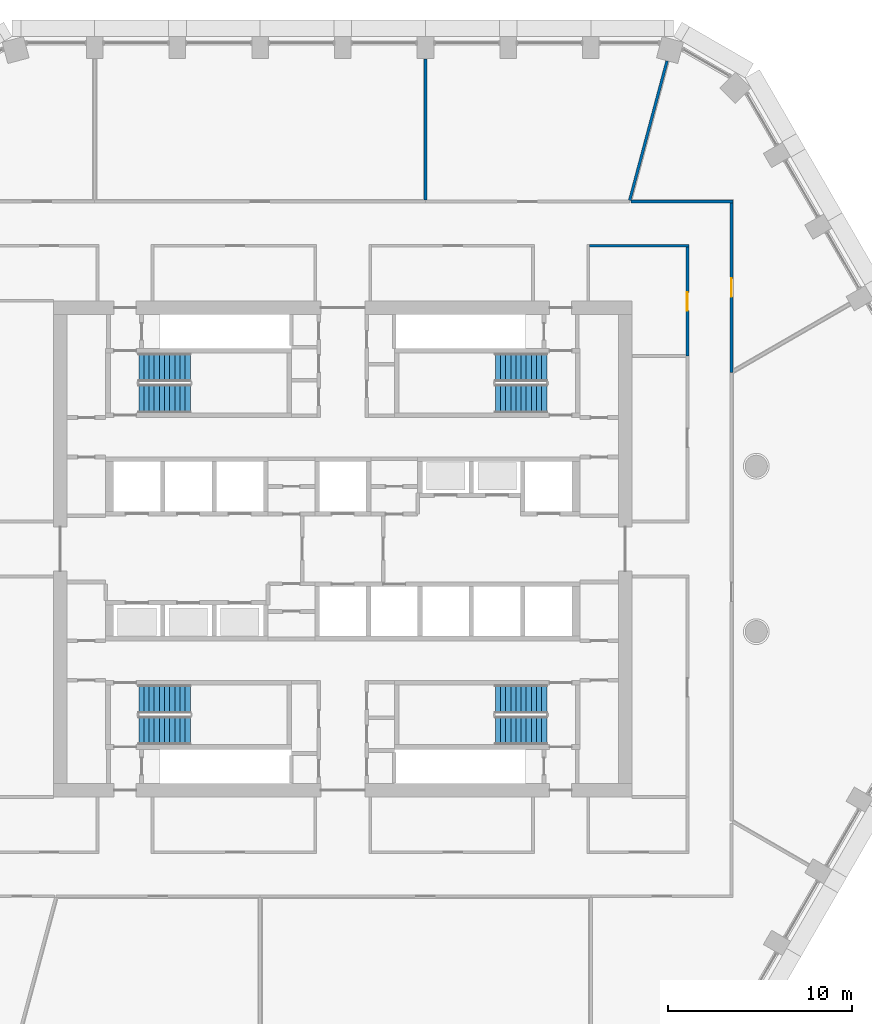
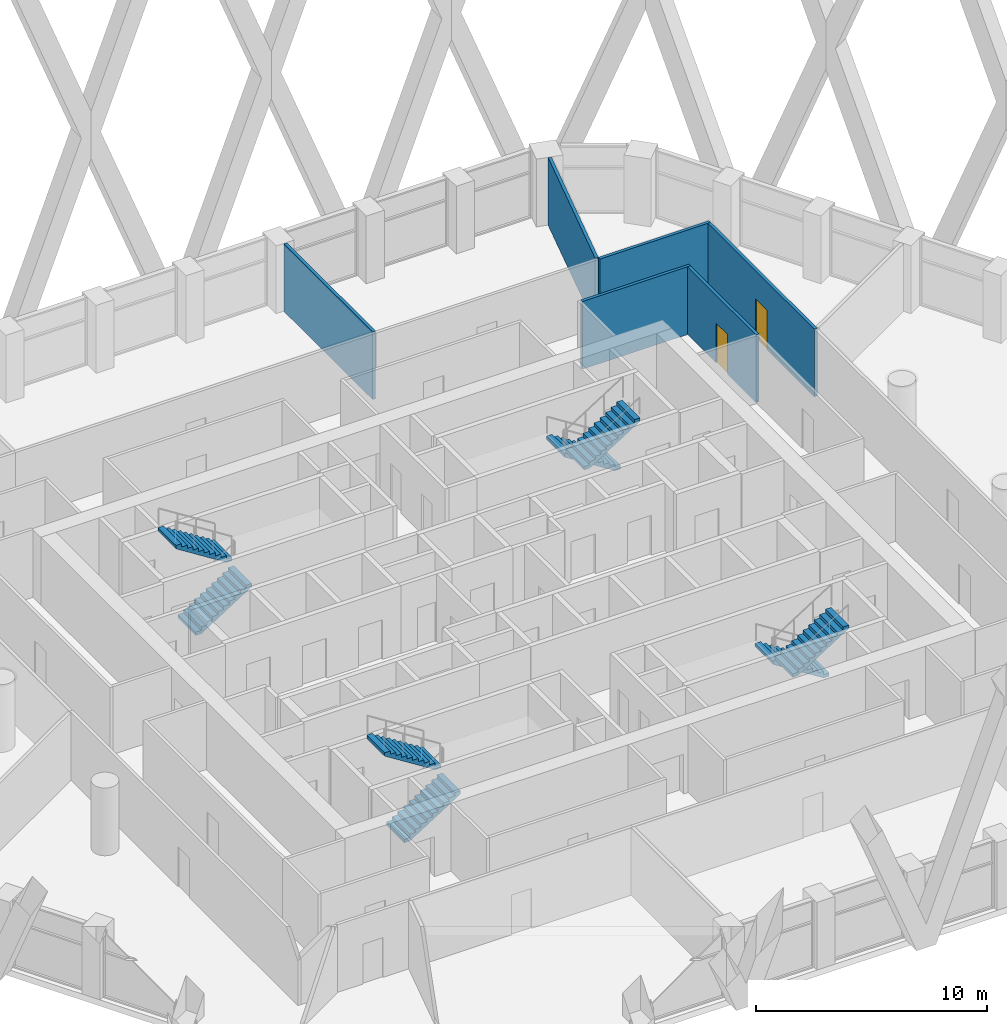
# One storey, part 14 of 24: 8 stair flights, 6 walls, 2 doors, 2 openings, 4 elements without a shape of their own.
"""IFC4 building model written with IfcOpenShell, lengths in metres."""

import ifcopenshell
import ifcopenshell.guid

model = None  # the IFC model being written
_history = None  # IfcOwnerHistory: only IFC2X3 demands one
_inside = {}  # id of a spatial element -> (the spatial element, [elements in it])
_under = {}  # id of a project, library or spatial element -> (it, [spatial elements below it])
_declared = {}  # id of a project -> (the project, [libraries it declares])
_typed = {}  # id of a type object -> (the type object, [elements of that type])
_made_of = {}  # id of a material, layer set ... -> (it, [elements and type objects made of it])


def new_model(schema):
    """Start an empty IFC model of exactly this schema.

    Asked for "IFC4X3", IfcOpenShell would pick the latest addendum, in which some entities
    have other attributes; the version numbers below select the first issue.
    IFC2X3 requires an IfcOwnerHistory on every rooted entity: one is made here for all.
    """
    global model, _history
    if schema == "IFC4X3":
        model = ifcopenshell.file(schema_version=(4, 3, 0, 0))
    else:
        model = ifcopenshell.file(schema=schema)
    _inside.clear()
    _under.clear()
    _declared.clear()
    _typed.clear()
    _made_of.clear()
    _history = None
    if model.schema == "IFC2X3":
        org = make("IfcOrganization", Name="unknown")
        user = make(
            "IfcPersonAndOrganization",
            ThePerson=make("IfcPerson", FamilyName="unknown"),
            TheOrganization=org,
        )
        app = make(
            "IfcApplication",
            ApplicationDeveloper=org,
            Version="unknown",
            ApplicationFullName="unknown",
            ApplicationIdentifier="unknown",
        )
        _history = make(
            "IfcOwnerHistory",
            OwningUser=user,
            OwningApplication=app,
            ChangeAction="ADDED",
            CreationDate=0,
        )
    return model


def make(cls, **values):
    """One entity of the class cls with the attributes given. An attribute that is None is left unset."""
    return model.create_entity(
        cls, **{name: value for name, value in values.items() if value is not None}
    )


def rooted(cls, **values):
    """An entity with a GlobalId (a new one), such as an element, a storey or a relation."""
    return make(cls, GlobalId=ifcopenshell.guid.new(), OwnerHistory=_history, **values)


def si_unit(unit_type, name, prefix=None):
    """IfcSIUnit, for example si_unit("LENGTHUNIT", "METRE", prefix="MILLI")."""
    return make("IfcSIUnit", UnitType=unit_type, Prefix=prefix, Name=name)


def assignment(units):
    """IfcUnitAssignment: the units of a project."""
    return None if units is None else make("IfcUnitAssignment", Units=units)


def point(xyz):
    """IfcCartesianPoint."""
    return None if xyz is None else make("IfcCartesianPoint", Coordinates=xyz)


def direction(xyz):
    """IfcDirection."""
    return None if xyz is None else make("IfcDirection", DirectionRatios=xyz)


def frame(location, z_axis=None, x_axis=None):
    """IfcAxis2Placement3D, a coordinate frame: its origin and axes. An axis left out is left unset."""
    return make(
        "IfcAxis2Placement3D",
        Location=point(location),
        Axis=direction(z_axis),
        RefDirection=direction(x_axis),
    )


def frame_2d(location, x_axis=None):
    """IfcAxis2Placement2D, a coordinate frame in the plane: its origin and x axis."""
    return make(
        "IfcAxis2Placement2D", Location=point(location), RefDirection=direction(x_axis)
    )


def origin():
    """The frame at (0, 0, 0) with its axes left unset."""
    return frame((0.0, 0.0, 0.0))


def place(relative_to, where):
    """IfcLocalPlacement: puts the frame where relative to a parent placement (None: the world)."""
    return make(
        "IfcLocalPlacement", PlacementRelTo=relative_to, RelativePlacement=where
    )


def context(
    kind, dimensions, precision=None, world=None, true_north=None, identifier=None
):
    """IfcGeometricRepresentationContext, for example the 3D "Model" context."""
    return make(
        "IfcGeometricRepresentationContext",
        ContextIdentifier=identifier,
        ContextType=kind,
        CoordinateSpaceDimension=dimensions,
        Precision=precision,
        WorldCoordinateSystem=world,
        TrueNorth=true_north,
    )


def subcontext(parent, identifier, kind, view, scale=None):
    """IfcGeometricRepresentationSubContext, for example "Body" below "Model"."""
    return make(
        "IfcGeometricRepresentationSubContext",
        ContextIdentifier=identifier,
        ContextType=kind,
        ParentContext=parent,
        TargetScale=scale,
        TargetView=view,
    )


def project(units=None, contexts=None):
    """IfcProject with its units and contexts."""
    return rooted(
        "IfcProject",
        Name="project",
        RepresentationContexts=contexts,
        UnitsInContext=assignment(units),
    )


def spatial(cls, under=None, at=None, **own):
    """A site, building, storey or space (cls), placed at a placement, below another one or the project."""
    s = rooted(cls, ObjectPlacement=at, **own)
    if under is not None:
        _under.setdefault(under.id(), (under, []))[1].append(s)
    return s


def polyline(points):
    """IfcPolyline through the points."""
    return make("IfcPolyline", Points=[point(p) for p in points])


def profile(cls, at=None, kind="AREA", **sizes):
    """A parametric profile (cls). Its sizes go by their IFC names, for example OverallWidth=200.0."""
    return make(cls, ProfileType=kind, Position=at, **sizes)


def rectangle(**sizes):
    """IfcRectangleProfileDef."""
    return profile("IfcRectangleProfileDef", **sizes)


def outline(outer, holes=None, kind="AREA"):
    """IfcArbitraryClosedProfileDef: a profile drawn as a closed curve; with holes, ...WithVoids."""
    if holes is None:
        return make("IfcArbitraryClosedProfileDef", ProfileType=kind, OuterCurve=outer)
    return make(
        "IfcArbitraryProfileDefWithVoids",
        ProfileType=kind,
        OuterCurve=outer,
        InnerCurves=holes,
    )


def extrude(swept, where, along, depth):
    """IfcExtrudedAreaSolid: the profile swept, set in the frame where, extruded along a direction by depth."""
    return make(
        "IfcExtrudedAreaSolid",
        SweptArea=swept,
        Position=where,
        ExtrudedDirection=direction(along),
        Depth=depth,
    )


def shape(context_of_items, identifier, shape_type, items):
    """IfcShapeRepresentation: the items that make up one representation, for example the "Body"."""
    return make(
        "IfcShapeRepresentation",
        ContextOfItems=context_of_items,
        RepresentationIdentifier=identifier,
        RepresentationType=shape_type,
        Items=items,
    )


def material(Name=None, Category=None):
    """IfcMaterial."""
    return make("IfcMaterial", Name=Name, Category=Category)


def layer(
    of_material, thickness, ventilated=None, Name=None, Category=None, Priority=None
):
    """IfcMaterialLayer: one layer of a wall or slab, of a material (None: an air gap)."""
    return make(
        "IfcMaterialLayer",
        Material=of_material,
        LayerThickness=thickness,
        IsVentilated=ventilated,
        Name=Name,
        Category=Category,
        Priority=Priority,
    )


def layer_set(layers, Name=None):
    """IfcMaterialLayerSet."""
    return make("IfcMaterialLayerSet", MaterialLayers=layers, LayerSetName=Name)


def made_of(thing, what):
    """Note that an element or type object is made of a material, layer set ...; save() writes the relation."""
    if what is not None:
        _made_of.setdefault(what.id(), (what, []))[1].append(thing)
    return thing


def type_object(cls, material=None, **own):
    """A type object (cls), such as IfcWallType, which elements share."""
    return made_of(rooted(cls, **own), material)


def element(
    cls,
    number,
    at=None,
    inside=None,
    cuts=None,
    type_object=None,
    material=None,
    context=None,
    identifier="Body",
    shape_type=None,
    held_by="IfcProductDefinitionShape",
    body=None,
    shapes=None,
    **own,
):
    """One element of the class cls, such as IfcWall. Its Tag is "e" and its number.

    at: its placement. inside: the storey or other place that contains it. cuts: it is an
    opening in that element (IfcRelVoidsElement). A single representation is given by context,
    identifier, shape_type and body (its items); several are given by shapes. held_by: the class
    of the entity that holds the representations. save() writes the other relations.
    """
    e = rooted(cls, Tag="e%d" % number, ObjectPlacement=at, **own)
    if body is not None:
        shapes = [shape(context, identifier, shape_type, body)]
    if shapes is not None:
        e.Representation = make(held_by, Representations=shapes)
    if inside is not None:
        _inside.setdefault(inside.id(), (inside, []))[1].append(e)
    if cuts is not None:
        rooted(
            "IfcRelVoidsElement", RelatingBuildingElement=cuts, RelatedOpeningElement=e
        )
    if type_object is not None:
        _typed.setdefault(type_object.id(), (type_object, []))[1].append(e)
    return made_of(e, material)


def fill(opening, filler):
    """IfcRelFillsElement: the door or window that sits in an opening."""
    return rooted(
        "IfcRelFillsElement",
        RelatingOpeningElement=opening,
        RelatedBuildingElement=filler,
    )


def aggregate(whole, parts):
    """IfcRelAggregates: a whole, such as a stair, and the parts it consists of."""
    return rooted("IfcRelAggregates", RelatingObject=whole, RelatedObjects=parts)


def save(model, path):
    """Write the relations noted so far, then the file.

    IfcRelAggregates (storeys below a building ...), IfcRelContainedInSpatialStructure (elements
    in a storey), IfcRelDefinesByType, IfcRelAssociatesMaterial and IfcRelDeclares: one each for
    every whole, place, type object, material and project.
    """
    for whole, parts in _under.values():
        aggregate(whole, parts)
    for where, things in _inside.values():
        rooted(
            "IfcRelContainedInSpatialStructure",
            RelatedElements=things,
            RelatingStructure=where,
        )
    for kind, things in _typed.values():
        rooted("IfcRelDefinesByType", RelatedObjects=things, RelatingType=kind)
    for what, things in _made_of.values():
        rooted("IfcRelAssociatesMaterial", RelatedObjects=things, RelatingMaterial=what)
    for by, libraries in _declared.values():
        rooted("IfcRelDeclares", RelatingContext=by, RelatedDefinitions=libraries)
    model.write(path)


model = new_model("IFC4")

# Units and contexts
model_context = context("Model", 3, precision=1e-05, world=origin(), true_north=direction((0.0, 1.0)))
body_context = subcontext(model_context, "Body", "Model", "MODEL_VIEW")
ifc_project = project(units=[si_unit("LENGTHUNIT", "METRE"), si_unit("AREAUNIT", "SQUARE_METRE"), si_unit("VOLUMEUNIT", "CUBIC_METRE"), si_unit("PLANEANGLEUNIT", "RADIAN"), si_unit("MASSUNIT", "GRAM", prefix="KILO")], contexts=[model_context])

# Site, building, storey
site_placement = place(None, origin())
site = spatial("IfcSite", under=ifc_project, at=site_placement, CompositionType="ELEMENT")
building_placement = place(site_placement, origin())
building = spatial("IfcBuilding", under=site, at=building_placement, Name="Dhurran Vertical Campus", CompositionType="ELEMENT")
storey_placement = place(building_placement, frame((0.0, 0.0, 132.60009765625)))
storey = spatial("IfcBuildingStorey", under=building, at=storey_placement, Name="L32", CompositionType="ELEMENT", Elevation=132.60009765625)

# Walls
ifc_material_1 = material(Name="Gypsum board corridor wall on steel studs", Category="steel")
ifc_layer_1 = layer(ifc_material_1, 0.14990234375)
ifc_layer_set_1 = layer_set([ifc_layer_1], Name="Gypsum board corridor wall on steel studs")
wall_type_1 = type_object("IfcWallType", Name="fl-CW-150 corridor wall", PredefinedType="PARTITIONING", material=ifc_layer_set_1)
wall_1_placement = place(storey_placement, frame((13.425048828125, 16.5, 0.0), z_axis=(0.0, 0.0, 1.0), x_axis=(1.0, 0.0, 0.0)))
element("IfcWall", 1, at=wall_1_placement, inside=storey, type_object=wall_type_1, Name="Partition 32-45", PredefinedType="PARTITIONING", context=body_context, shape_type="SweptSolid", body=[
    extrude(rectangle(XDim=5.39990234375, YDim=0.14990234375, at=frame_2d((2.699951171875, 0.0))), origin(), (0.0, 0.0, 1.0), 3.574951171875),
])
wall_2_placement = place(storey_placement, frame((21.22509765625, 18.89990234375, 0.0), z_axis=(0.0, 0.0, 1.0), x_axis=(-1.0, 0.0, 0.0)))
element("IfcWall", 2, at=wall_2_placement, inside=storey, type_object=wall_type_1, Name="Partition 32-49", PredefinedType="PARTITIONING", context=body_context, shape_type="SweptSolid", body=[
    extrude(rectangle(XDim=5.537109375, YDim=0.14990234375, at=frame_2d((2.7685546875, 0.0))), origin(), (0.0, 0.0, 1.0), 3.574951171875),
])

# Wall, opening, door
wall_3_placement = place(storey_placement, frame((18.75, 16.425048828125, 0.0), z_axis=(0.0, 0.0, 1.0), x_axis=(0.0, -1.0, 0.0)))
wall_3 = element("IfcWall", 3, at=wall_3_placement, inside=storey, type_object=wall_type_1, Name="Partition 32-57", PredefinedType="PARTITIONING", context=body_context, shape_type="SweptSolid", body=[
    extrude(rectangle(XDim=5.925048828125, YDim=0.14990234375, at=frame_2d((2.96240234375, 0.0))), origin(), (0.0, 0.0, 1.0), 3.574951171875),
])
opening_1_placement = place(wall_3_placement, frame((2.46240234375, 0.0, 0.0)))
opening_1 = element("IfcOpeningElement", 4, at=opening_1_placement, cuts=wall_3, Name="Opening T09.18", PredefinedType="OPENING", context=body_context, shape_type="SweptSolid", body=[
    extrude(rectangle(XDim=1.0, YDim=2.10009765625, at=frame_2d((0.5, 1.050048828125))), frame((0.0, 0.0849609375, 0.0), z_axis=(0.0, -1.0, 0.0), x_axis=(1.0, 0.0, 0.0)), (0.0, 0.0, 1.0), 0.169921875),
])
ifc_material_2 = material(Name="Solid-core timber door set, fire-rated", Category="wood")
door_type = type_object("IfcDoorType", Name="fl-D-1000x2100", OperationType="SINGLE_SWING_LEFT", PredefinedType="DOOR", material=ifc_material_2)
door_1_placement = place(opening_1_placement, origin())
door_1 = element("IfcDoor", 5, at=door_1_placement, inside=storey, type_object=door_type, Name="Door 32.18", OperationType="SINGLE_SWING_LEFT", OverallHeight=2.10009765625, OverallWidth=1.0, PredefinedType="DOOR", context=body_context, shape_type="SweptSolid", body=[
    extrude(rectangle(XDim=1.0, YDim=2.10009765625, at=frame_2d((0.5, 1.050048828125))), frame((0.0, 0.02490234375, 0.0), z_axis=(0.0, -1.0, 0.0), x_axis=(1.0, 0.0, 0.0)), (0.0, 0.0, 1.0), 0.050048828125),
])
fill(opening_1, door_1)

wall_4_placement = place(storey_placement, frame((21.14990234375, 9.613037109375, 0.0), z_axis=(0.0, 0.0, 1.0), x_axis=(0.0, 1.0, 0.0)))
wall_4 = element("IfcWall", 6, at=wall_4_placement, inside=storey, type_object=wall_type_1, Name="Partition 32-61", PredefinedType="PARTITIONING", context=body_context, shape_type="SweptSolid", body=[
    extrude(rectangle(XDim=9.2119140625, YDim=0.14990234375, at=frame_2d((4.60595703125, 0.0))), origin(), (0.0, 0.0, 1.0), 3.574951171875),
])
opening_2_placement = place(wall_4_placement, frame((4.10595703125, 0.0, 0.0)))
opening_2 = element("IfcOpeningElement", 7, at=opening_2_placement, cuts=wall_4, Name="Opening T09.22", PredefinedType="OPENING", context=body_context, shape_type="SweptSolid", body=[
    extrude(rectangle(XDim=1.0, YDim=2.10009765625, at=frame_2d((0.5, 1.050048828125))), frame((0.0, 0.0849609375, 0.0), z_axis=(0.0, -1.0, 0.0), x_axis=(1.0, 0.0, 0.0)), (0.0, 0.0, 1.0), 0.169921875),
])
door_2_placement = place(opening_2_placement, origin())
door_2 = element("IfcDoor", 8, at=door_2_placement, inside=storey, type_object=door_type, Name="Door 32.22", OperationType="SINGLE_SWING_RIGHT", OverallHeight=2.10009765625, OverallWidth=1.0, PredefinedType="DOOR", context=body_context, shape_type="SweptSolid", body=[
    extrude(rectangle(XDim=1.0, YDim=2.10009765625, at=frame_2d((0.5, 1.050048828125))), frame((0.0, 0.02490234375, 0.0), z_axis=(0.0, -1.0, 0.0), x_axis=(1.0, 0.0, 0.0)), (0.0, 0.0, 1.0), 0.050048828125),
])
fill(opening_2, door_2)

# Walls
ifc_material_3 = material(Name="Gypsum board partition on steel studs", Category="steel")
ifc_layer_2 = layer(ifc_material_3, 0.14990234375)
ifc_layer_set_2 = layer_set([ifc_layer_2], Name="Gypsum board partition on steel studs")
wall_type_2 = type_object("IfcWallType", Name="fl-PW-150 fixed partition", PredefinedType="PARTITIONING", material=ifc_layer_set_2)
wall_5_placement = place(storey_placement, frame((4.5, 26.66259765625, 0.0), z_axis=(0.0, 0.0, 1.0), x_axis=(0.0, -1.0, 0.0)))
element("IfcWall", 9, at=wall_5_placement, inside=storey, type_object=wall_type_2, Name="Partition 32-38", PredefinedType="PARTITIONING", context=body_context, shape_type="SweptSolid", body=[
    extrude(rectangle(XDim=7.6875, YDim=0.14990234375, at=frame_2d((3.84375, 0.0))), origin(), (0.0, 0.0, 1.0), 3.574951171875),
])
wall_6_placement = place(storey_placement, frame((17.642822265625, 26.548828125, 0.0), z_axis=(0.0, 0.0, 1.0), x_axis=(-0.258869363255, -0.965912342176, 0.0)))
element("IfcWall", 10, at=wall_6_placement, inside=storey, type_object=wall_type_2, Name="Partition 32-48", PredefinedType="PARTITIONING", context=body_context, shape_type="SweptSolid", body=[
    extrude(rectangle(XDim=7.84375, YDim=0.14990234375, at=frame_2d((3.921875, 0.0))), origin(), (0.0, 0.0, 1.0), 3.574951171875),
])

# Stair, stair flights
ifc_material_4 = material(Name="Concrete C40/50", Category="concrete")
stair_type = type_object("IfcStairType", Name="co-ST-CORE", PredefinedType="HALF_TURN_STAIR", material=ifc_material_4)
stair_1_placement = place(storey_placement, origin())
stair_1 = element("IfcStair", 11, at=stair_1_placement, inside=storey, type_object=stair_type, Name="L32 Protected exit stair ST1", PredefinedType="HALF_TURN_STAIR")
ifc_material_5 = material(Name="Concrete C40/50", Category="concrete")
stair_flight_type = type_object("IfcStairFlightType", Name="co-SFL-RC", PredefinedType="STRAIGHT", material=ifc_material_5)
stair_flight_1_placement = place(storey_placement, frame((-11.10009765625, 8.175048828125, 0.0), z_axis=(0.0, 0.0, 1.0), x_axis=(1.0, 0.0, 0.0)))
stair_flight_1 = element("IfcStairFlight", 12, at=stair_flight_1_placement, type_object=stair_flight_type, Name="ST1 flight 1", NumberOfRisers=11, NumberOfTreads=10, PredefinedType="STRAIGHT", RiserHeight=0.177272727, TreadLength=0.28, context=body_context, shape_type="SweptSolid", body=[
    extrude(outline(polyline([(0.0, 0.0), (0.0, 0.17724609375), (0.280029296875, 0.17724609375), (0.280029296875, 0.3544921875), (0.56005859375, 0.3544921875), (0.56005859375, 0.53173828125), (0.840087890625, 0.53173828125), (0.840087890625, 0.708984375), (1.1201171875, 0.708984375), (1.1201171875, 0.886474609375), (1.39990234375, 0.886474609375), (1.39990234375, 1.063720703125), (1.679931640625, 1.063720703125), (1.679931640625, 1.240966796875), (1.9599609375, 1.240966796875), (1.9599609375, 1.418212890625), (2.239990234375, 1.418212890625), (2.239990234375, 1.595458984375), (2.52001953125, 1.595458984375), (2.52001953125, 1.772705078125), (2.800048828125, 1.772705078125), (2.800048828125, 1.949951171875), (2.800048828125, 1.59521484375), (0.2802734375, 0.0), (0.0, 0.0)])), frame((0.0, 0.77490234375, 0.0), z_axis=(0.0, -1.0, 0.0), x_axis=(1.0, 0.0, 0.0)), (0.0, 0.0, 1.0), 1.550048828125),
])
stair_flight_2_placement = place(storey_placement, frame((-8.300048828125, 9.875, 1.949951171875), z_axis=(0.0, 0.0, 1.0), x_axis=(-1.0, 0.0, 0.0)))
stair_flight_2 = element("IfcStairFlight", 13, at=stair_flight_2_placement, type_object=stair_flight_type, Name="ST1 flight 2", NumberOfRisers=11, NumberOfTreads=10, PredefinedType="STRAIGHT", RiserHeight=0.177272727, TreadLength=0.28, context=body_context, shape_type="SweptSolid", body=[
    extrude(outline(polyline([(0.0, 0.0), (0.0, 0.17724609375), (0.280029296875, 0.17724609375), (0.280029296875, 0.3544921875), (0.56005859375, 0.3544921875), (0.56005859375, 0.53173828125), (0.840087890625, 0.53173828125), (0.840087890625, 0.708984375), (1.1201171875, 0.708984375), (1.1201171875, 0.886474609375), (1.39990234375, 0.886474609375), (1.39990234375, 1.063720703125), (1.679931640625, 1.063720703125), (1.679931640625, 1.240966796875), (1.9599609375, 1.240966796875), (1.9599609375, 1.418212890625), (2.239990234375, 1.418212890625), (2.239990234375, 1.595458984375), (2.52001953125, 1.595458984375), (2.52001953125, 1.772705078125), (2.800048828125, 1.772705078125), (2.800048828125, 1.949951171875), (2.800048828125, 1.59521484375), (0.2802734375, 0.0), (0.0, 0.0)])), frame((0.0, 0.77490234375, 0.0), z_axis=(0.0, -1.0, 0.0), x_axis=(1.0, 0.0, 0.0)), (0.0, 0.0, 1.0), 1.550048828125),
])
aggregate(stair_1, [stair_flight_1, stair_flight_2])

stair_2_placement = place(storey_placement, origin())
stair_2 = element("IfcStair", 14, at=stair_2_placement, inside=storey, type_object=stair_type, Name="L32 Protected exit stair ST2", PredefinedType="HALF_TURN_STAIR")
stair_flight_3_placement = place(storey_placement, frame((11.10009765625, 9.875, 0.0), z_axis=(0.0, 0.0, 1.0), x_axis=(-1.0, 0.0, 0.0)))
stair_flight_3 = element("IfcStairFlight", 15, at=stair_flight_3_placement, type_object=stair_flight_type, Name="ST2 flight 1", NumberOfRisers=11, NumberOfTreads=10, PredefinedType="STRAIGHT", RiserHeight=0.177272727, TreadLength=0.28, context=body_context, shape_type="SweptSolid", body=[
    extrude(outline(polyline([(0.0, 0.0), (0.0, 0.17724609375), (0.280029296875, 0.17724609375), (0.280029296875, 0.3544921875), (0.56005859375, 0.3544921875), (0.56005859375, 0.53173828125), (0.840087890625, 0.53173828125), (0.840087890625, 0.708984375), (1.1201171875, 0.708984375), (1.1201171875, 0.886474609375), (1.39990234375, 0.886474609375), (1.39990234375, 1.063720703125), (1.679931640625, 1.063720703125), (1.679931640625, 1.240966796875), (1.9599609375, 1.240966796875), (1.9599609375, 1.418212890625), (2.239990234375, 1.418212890625), (2.239990234375, 1.595458984375), (2.52001953125, 1.595458984375), (2.52001953125, 1.772705078125), (2.800048828125, 1.772705078125), (2.800048828125, 1.949951171875), (2.800048828125, 1.59521484375), (0.2802734375, 0.0), (0.0, 0.0)])), frame((0.0, 0.77490234375, 0.0), z_axis=(0.0, -1.0, 0.0), x_axis=(1.0, 0.0, 0.0)), (0.0, 0.0, 1.0), 1.550048828125),
])
stair_flight_4_placement = place(storey_placement, frame((8.300048828125, 8.175048828125, 1.949951171875), z_axis=(0.0, 0.0, 1.0), x_axis=(1.0, 0.0, 0.0)))
stair_flight_4 = element("IfcStairFlight", 16, at=stair_flight_4_placement, type_object=stair_flight_type, Name="ST2 flight 2", NumberOfRisers=11, NumberOfTreads=10, PredefinedType="STRAIGHT", RiserHeight=0.177272727, TreadLength=0.28, context=body_context, shape_type="SweptSolid", body=[
    extrude(outline(polyline([(0.0, 0.0), (0.0, 0.17724609375), (0.280029296875, 0.17724609375), (0.280029296875, 0.3544921875), (0.56005859375, 0.3544921875), (0.56005859375, 0.53173828125), (0.840087890625, 0.53173828125), (0.840087890625, 0.708984375), (1.1201171875, 0.708984375), (1.1201171875, 0.886474609375), (1.39990234375, 0.886474609375), (1.39990234375, 1.063720703125), (1.679931640625, 1.063720703125), (1.679931640625, 1.240966796875), (1.9599609375, 1.240966796875), (1.9599609375, 1.418212890625), (2.239990234375, 1.418212890625), (2.239990234375, 1.595458984375), (2.52001953125, 1.595458984375), (2.52001953125, 1.772705078125), (2.800048828125, 1.772705078125), (2.800048828125, 1.949951171875), (2.800048828125, 1.59521484375), (0.2802734375, 0.0), (0.0, 0.0)])), frame((0.0, 0.77490234375, 0.0), z_axis=(0.0, -1.0, 0.0), x_axis=(1.0, 0.0, 0.0)), (0.0, 0.0, 1.0), 1.550048828125),
])
aggregate(stair_2, [stair_flight_3, stair_flight_4])

stair_3_placement = place(storey_placement, origin())
stair_3 = element("IfcStair", 17, at=stair_3_placement, inside=storey, type_object=stair_type, Name="L32 Protected exit stair ST3", PredefinedType="HALF_TURN_STAIR")
stair_flight_5_placement = place(storey_placement, frame((-11.10009765625, -9.875, 0.0), z_axis=(0.0, 0.0, 1.0), x_axis=(1.0, 0.0, 0.0)))
stair_flight_5 = element("IfcStairFlight", 18, at=stair_flight_5_placement, type_object=stair_flight_type, Name="ST3 flight 1", NumberOfRisers=11, NumberOfTreads=10, PredefinedType="STRAIGHT", RiserHeight=0.177272727, TreadLength=0.28, context=body_context, shape_type="SweptSolid", body=[
    extrude(outline(polyline([(0.0, 0.0), (0.0, 0.17724609375), (0.280029296875, 0.17724609375), (0.280029296875, 0.3544921875), (0.56005859375, 0.3544921875), (0.56005859375, 0.53173828125), (0.840087890625, 0.53173828125), (0.840087890625, 0.708984375), (1.1201171875, 0.708984375), (1.1201171875, 0.886474609375), (1.39990234375, 0.886474609375), (1.39990234375, 1.063720703125), (1.679931640625, 1.063720703125), (1.679931640625, 1.240966796875), (1.9599609375, 1.240966796875), (1.9599609375, 1.418212890625), (2.239990234375, 1.418212890625), (2.239990234375, 1.595458984375), (2.52001953125, 1.595458984375), (2.52001953125, 1.772705078125), (2.800048828125, 1.772705078125), (2.800048828125, 1.949951171875), (2.800048828125, 1.59521484375), (0.2802734375, 0.0), (0.0, 0.0)])), frame((0.0, 0.77490234375, 0.0), z_axis=(0.0, -1.0, 0.0), x_axis=(1.0, 0.0, 0.0)), (0.0, 0.0, 1.0), 1.550048828125),
])
stair_flight_6_placement = place(storey_placement, frame((-8.300048828125, -8.175048828125, 1.949951171875), z_axis=(0.0, 0.0, 1.0), x_axis=(-1.0, 0.0, 0.0)))
stair_flight_6 = element("IfcStairFlight", 19, at=stair_flight_6_placement, type_object=stair_flight_type, Name="ST3 flight 2", NumberOfRisers=11, NumberOfTreads=10, PredefinedType="STRAIGHT", RiserHeight=0.177272727, TreadLength=0.28, context=body_context, shape_type="SweptSolid", body=[
    extrude(outline(polyline([(0.0, 0.0), (0.0, 0.17724609375), (0.280029296875, 0.17724609375), (0.280029296875, 0.3544921875), (0.56005859375, 0.3544921875), (0.56005859375, 0.53173828125), (0.840087890625, 0.53173828125), (0.840087890625, 0.708984375), (1.1201171875, 0.708984375), (1.1201171875, 0.886474609375), (1.39990234375, 0.886474609375), (1.39990234375, 1.063720703125), (1.679931640625, 1.063720703125), (1.679931640625, 1.240966796875), (1.9599609375, 1.240966796875), (1.9599609375, 1.418212890625), (2.239990234375, 1.418212890625), (2.239990234375, 1.595458984375), (2.52001953125, 1.595458984375), (2.52001953125, 1.772705078125), (2.800048828125, 1.772705078125), (2.800048828125, 1.949951171875), (2.800048828125, 1.59521484375), (0.2802734375, 0.0), (0.0, 0.0)])), frame((0.0, 0.77490234375, 0.0), z_axis=(0.0, -1.0, 0.0), x_axis=(1.0, 0.0, 0.0)), (0.0, 0.0, 1.0), 1.550048828125),
])
aggregate(stair_3, [stair_flight_5, stair_flight_6])

stair_4_placement = place(storey_placement, origin())
stair_4 = element("IfcStair", 20, at=stair_4_placement, inside=storey, type_object=stair_type, Name="L32 Protected exit stair ST4", PredefinedType="HALF_TURN_STAIR")
stair_flight_7_placement = place(storey_placement, frame((11.10009765625, -8.175048828125, 0.0), z_axis=(0.0, 0.0, 1.0), x_axis=(-1.0, 0.0, 0.0)))
stair_flight_7 = element("IfcStairFlight", 21, at=stair_flight_7_placement, type_object=stair_flight_type, Name="ST4 flight 1", NumberOfRisers=11, NumberOfTreads=10, PredefinedType="STRAIGHT", RiserHeight=0.177272727, TreadLength=0.28, context=body_context, shape_type="SweptSolid", body=[
    extrude(outline(polyline([(0.0, 0.0), (0.0, 0.17724609375), (0.280029296875, 0.17724609375), (0.280029296875, 0.3544921875), (0.56005859375, 0.3544921875), (0.56005859375, 0.53173828125), (0.840087890625, 0.53173828125), (0.840087890625, 0.708984375), (1.1201171875, 0.708984375), (1.1201171875, 0.886474609375), (1.39990234375, 0.886474609375), (1.39990234375, 1.063720703125), (1.679931640625, 1.063720703125), (1.679931640625, 1.240966796875), (1.9599609375, 1.240966796875), (1.9599609375, 1.418212890625), (2.239990234375, 1.418212890625), (2.239990234375, 1.595458984375), (2.52001953125, 1.595458984375), (2.52001953125, 1.772705078125), (2.800048828125, 1.772705078125), (2.800048828125, 1.949951171875), (2.800048828125, 1.59521484375), (0.2802734375, 0.0), (0.0, 0.0)])), frame((0.0, 0.77490234375, 0.0), z_axis=(0.0, -1.0, 0.0), x_axis=(1.0, 0.0, 0.0)), (0.0, 0.0, 1.0), 1.550048828125),
])
stair_flight_8_placement = place(storey_placement, frame((8.300048828125, -9.875, 1.949951171875), z_axis=(0.0, 0.0, 1.0), x_axis=(1.0, 0.0, 0.0)))
stair_flight_8 = element("IfcStairFlight", 22, at=stair_flight_8_placement, type_object=stair_flight_type, Name="ST4 flight 2", NumberOfRisers=11, NumberOfTreads=10, PredefinedType="STRAIGHT", RiserHeight=0.177272727, TreadLength=0.28, context=body_context, shape_type="SweptSolid", body=[
    extrude(outline(polyline([(0.0, 0.0), (0.0, 0.17724609375), (0.280029296875, 0.17724609375), (0.280029296875, 0.3544921875), (0.56005859375, 0.3544921875), (0.56005859375, 0.53173828125), (0.840087890625, 0.53173828125), (0.840087890625, 0.708984375), (1.1201171875, 0.708984375), (1.1201171875, 0.886474609375), (1.39990234375, 0.886474609375), (1.39990234375, 1.063720703125), (1.679931640625, 1.063720703125), (1.679931640625, 1.240966796875), (1.9599609375, 1.240966796875), (1.9599609375, 1.418212890625), (2.239990234375, 1.418212890625), (2.239990234375, 1.595458984375), (2.52001953125, 1.595458984375), (2.52001953125, 1.772705078125), (2.800048828125, 1.772705078125), (2.800048828125, 1.949951171875), (2.800048828125, 1.59521484375), (0.2802734375, 0.0), (0.0, 0.0)])), frame((0.0, 0.77490234375, 0.0), z_axis=(0.0, -1.0, 0.0), x_axis=(1.0, 0.0, 0.0)), (0.0, 0.0, 1.0), 1.550048828125),
])
aggregate(stair_4, [stair_flight_7, stair_flight_8])

save(model, "model.ifc")
